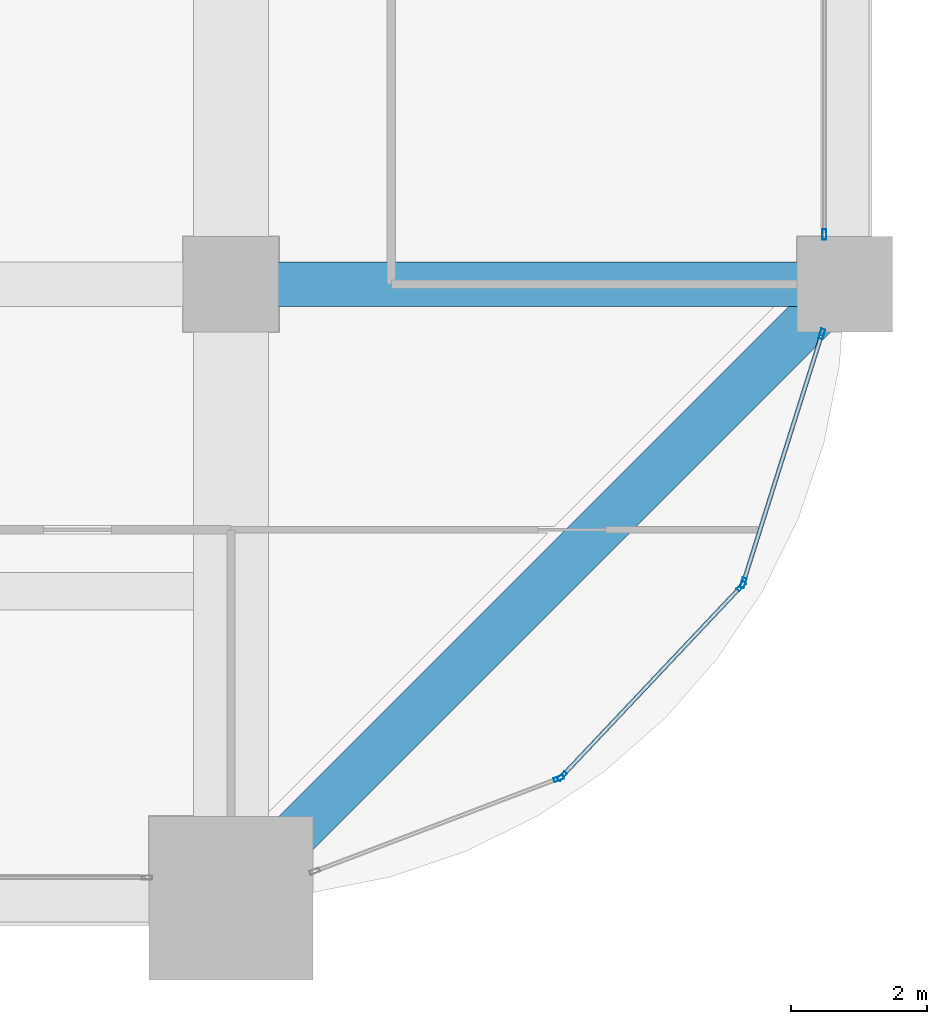
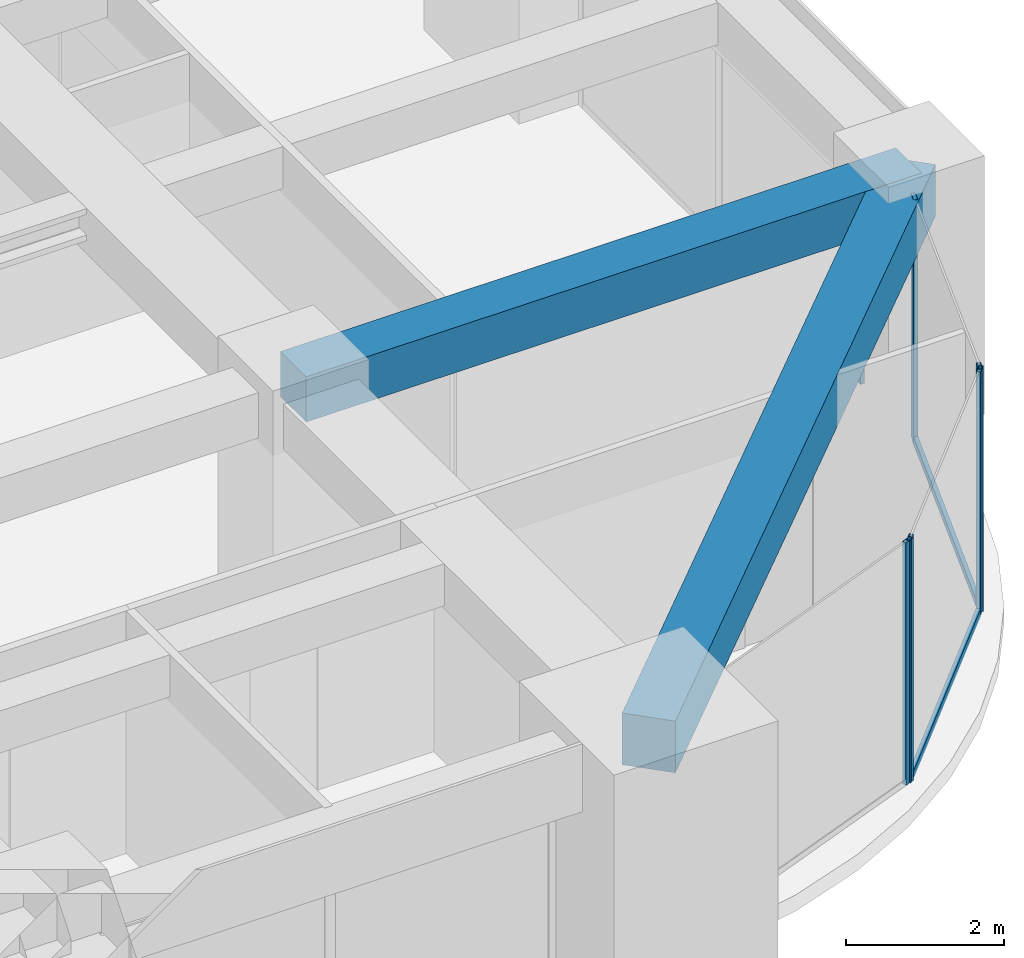
# One storey, part 16 of 33: 8 members, 2 beams, 4 elements without a shape of their own.
"""IFC4 building model written with IfcOpenShell, lengths in metres."""

from ifc_helpers import new_model, si_unit, direction, frame, origin, origin_2d, place, context, subcontext, project, spatial, rectangle, hollow_rectangle, extrude, material, material_profile, profile_set, type_object, element, aggregate, save


model = new_model("IFC4")

# Units and contexts
model_context = context("Model", 3, precision=1e-05, world=origin(), true_north=direction((0.0, 1.0)))
body_context = subcontext(model_context, "Body", "Model", "MODEL_VIEW")
ifc_project = project(units=[si_unit("LENGTHUNIT", "METRE"), si_unit("AREAUNIT", "SQUARE_METRE"), si_unit("VOLUMEUNIT", "CUBIC_METRE"), si_unit("PLANEANGLEUNIT", "RADIAN"), si_unit("MASSUNIT", "GRAM", prefix="KILO")], contexts=[model_context])

# Site, building, storey
site_placement = place(None, origin())
site = spatial("IfcSite", under=ifc_project, at=site_placement, CompositionType="ELEMENT")
building_placement = place(site_placement, origin())
building = spatial("IfcBuilding", under=site, at=building_placement, Name="Zorevar Civic Tower", CompositionType="ELEMENT")
storey_placement = place(building_placement, frame((0.0, 0.0, 206.199951171875)))
storey = spatial("IfcBuildingStorey", under=building, at=storey_placement, Name="L50", CompositionType="ELEMENT", Elevation=206.199951171875)

# Beam
ifc_material_1 = material(Name="Concrete C50/60", Category="concrete")
ifc_material_profile_1 = material_profile(ifc_material_1, rectangle(XDim=0.64990234375, YDim=0.699951171875, at=origin_2d()), Name="RC 650x700")
ifc_profile_set_1 = profile_set([ifc_material_profile_1], Name="Concrete C50/60")
beam_type_1 = type_object("IfcBeamType", Name="Beam RC 650x700", PredefinedType="BEAM", material=ifc_profile_set_1)
beam_1_placement = place(storey_placement, frame((45.0, 9.0, 3.400146484375), z_axis=(1.0, 0.0, 0.0), x_axis=(0.0, 1.0, 0.0)))
element("IfcBeam", 1, at=beam_1_placement, inside=storey, type_object=beam_type_1, Name="Girder L51", PredefinedType="BEAM", context=body_context, shape_type="SweptSolid", body=[
    extrude(rectangle(XDim=0.64990234375, YDim=0.699951171875, at=origin_2d()), origin(), (0.0, 0.0, 1.0), 9.0),
])

# Curtain wall, member
ifc_material_2 = material(Name="Dark grey solar-control glass in black aluminium frame", Category="aluminium")
curtain_wall_type = type_object("IfcCurtainWallType", Name="Curtain wall CW4 high zone", PredefinedType="NOTDEFINED", material=ifc_material_2)
curtain_wall_1_placement = place(storey_placement, origin())
curtain_wall_1 = element("IfcCurtainWall", 2, at=curtain_wall_1_placement, inside=storey, type_object=curtain_wall_type, Name="CW4 L50", PredefinedType="NOTDEFINED")
ifc_material_3 = material(Name="Aluminium, black anodised", Category="aluminium")
ifc_material_profile_2 = material_profile(ifc_material_3, hollow_rectangle(XDim=0.06005859375, YDim=0.14990234375, WallThickness=0.00390625, at=origin_2d()), Name="AL 150x60x4")
ifc_profile_set_2 = profile_set([ifc_material_profile_2], Name="Aluminium, black anodised")
member_type_1 = type_object("IfcMemberType", Name="CW4 mullion AL 150x60x4", PredefinedType="MULLION", material=ifc_profile_set_2)
member_1_placement = place(storey_placement, frame((53.699951171875, 9.72998046875, 0.0), z_axis=(0.0, 0.0, 1.0), x_axis=(-1.0, 0.0, 0.0)))
member_1 = element("IfcMember", 3, at=member_1_placement, type_object=member_type_1, Name="CW4 mullion 1", PredefinedType="MULLION", context=body_context, shape_type="SweptSolid", body=[
    extrude(hollow_rectangle(XDim=0.06005859375, YDim=0.14990234375, WallThickness=0.00390625, at=origin_2d()), origin(), (0.0, 0.0, 1.0), 2.949951171875),
])
aggregate(curtain_wall_1, [member_1])

curtain_wall_2_placement = place(storey_placement, origin())
curtain_wall_2 = element("IfcCurtainWall", 4, at=curtain_wall_2_placement, inside=storey, type_object=curtain_wall_type, Name="CW4 L50", PredefinedType="NOTDEFINED")
member_2_placement = place(storey_placement, frame((49.804931640625, 1.75537109375, 0.0), z_axis=(0.0, 0.0, 1.0), x_axis=(-0.355730895803, 0.93458842801, 0.0)))
member_2 = element("IfcMember", 5, at=member_2_placement, type_object=member_type_1, Name="CW4 mullion 2", PredefinedType="MULLION", context=body_context, shape_type="SweptSolid", body=[
    extrude(hollow_rectangle(XDim=0.06005859375, YDim=0.14990234375, WallThickness=0.00390625, at=origin_2d()), origin(), (0.0, 0.0, 1.0), 3.75),
])
aggregate(curtain_wall_2, [member_2])

# Curtain wall, members
curtain_wall_3_placement = place(storey_placement, origin())
curtain_wall_3 = element("IfcCurtainWall", 6, at=curtain_wall_3_placement, inside=storey, type_object=curtain_wall_type, Name="CW4 L50", PredefinedType="NOTDEFINED")
member_3_placement = place(storey_placement, frame((49.853759765625, 1.787841796875, 0.0), z_axis=(0.0, 0.0, 1.0), x_axis=(-0.727245053898, 0.686377907265, 0.0)))
member_3 = element("IfcMember", 7, at=member_3_placement, type_object=member_type_1, Name="CW4 mullion 1", PredefinedType="MULLION", context=body_context, shape_type="SweptSolid", body=[
    extrude(hollow_rectangle(XDim=0.06005859375, YDim=0.14990234375, WallThickness=0.00390625, at=origin_2d()), origin(), (0.0, 0.0, 1.0), 3.75),
])
member_4_placement = place(storey_placement, frame((52.480712890625, 4.5712890625, 0.0), z_axis=(0.0, 0.0, 1.0), x_axis=(-0.727245053898, 0.686377907265, 0.0)))
member_4 = element("IfcMember", 8, at=member_4_placement, type_object=member_type_1, Name="CW4 mullion 2", PredefinedType="MULLION", context=body_context, shape_type="SweptSolid", body=[
    extrude(hollow_rectangle(XDim=0.06005859375, YDim=0.14990234375, WallThickness=0.00390625, at=origin_2d()), origin(), (0.0, 0.0, 1.0), 3.75),
])

curtain_wall_4_placement = place(storey_placement, origin())
curtain_wall_4 = element("IfcCurtainWall", 9, at=curtain_wall_4_placement, inside=storey, type_object=curtain_wall_type, Name="CW4 L50", PredefinedType="NOTDEFINED")
member_5_placement = place(storey_placement, frame((52.51025390625, 4.62158203125, 0.0), z_axis=(0.0, 0.0, 1.0), x_axis=(-0.953589950678, 0.301108296077, 0.0)))
member_5 = element("IfcMember", 10, at=member_5_placement, type_object=member_type_1, Name="CW4 mullion 1", PredefinedType="MULLION", context=body_context, shape_type="SweptSolid", body=[
    extrude(hollow_rectangle(XDim=0.06005859375, YDim=0.14990234375, WallThickness=0.00390625, at=origin_2d()), origin(), (0.0, 0.0, 1.0), 3.75),
])
member_6_placement = place(storey_placement, frame((53.66259765625, 8.271484375, 0.0), z_axis=(0.0, 0.0, 1.0), x_axis=(-0.953589950678, 0.301108296077, 0.0)))
member_6 = element("IfcMember", 11, at=member_6_placement, type_object=member_type_1, Name="CW4 mullion 2", PredefinedType="MULLION", context=body_context, shape_type="SweptSolid", body=[
    extrude(hollow_rectangle(XDim=0.06005859375, YDim=0.14990234375, WallThickness=0.00390625, at=origin_2d()), origin(), (0.0, 0.0, 1.0), 3.75),
])

# Member
ifc_material_4 = material(Name="Aluminium, black anodised", Category="aluminium")
ifc_material_profile_3 = material_profile(ifc_material_4, hollow_rectangle(XDim=0.06005859375, YDim=0.1201171875, WallThickness=0.0029296875, at=origin_2d()), Name="AL 120x60x3")
ifc_profile_set_3 = profile_set([ifc_material_profile_3], Name="Aluminium, black anodised")
member_type_2 = type_object("IfcMemberType", Name="CW4 transom AL 120x60x3", PredefinedType="USERDEFINED", material=ifc_profile_set_3)
member_7_placement = place(storey_placement, frame((49.874267578125, 1.8095703125, 0.030029296875), z_axis=(0.686332338526, 0.727288059227, 0.0), x_axis=(-0.727288059227, 0.686332338526, 0.0)))
member_7 = element("IfcMember", 12, at=member_7_placement, type_object=member_type_2, Name="CW4 sill transom", ObjectType="TRANSOM", PredefinedType="USERDEFINED", context=body_context, shape_type="SweptSolid", body=[
    extrude(hollow_rectangle(XDim=0.06005859375, YDim=0.1201171875, WallThickness=0.0029296875, at=origin_2d()), origin(), (0.0, 0.0, 1.0), 3.767333984375),
])

aggregate(curtain_wall_3, [member_3, member_4, member_7])

member_8_placement = place(storey_placement, frame((52.519287109375, 4.650390625, 0.030029296875), z_axis=(0.301100351109, 0.953592459367, 0.0), x_axis=(-0.953592459367, 0.301100351109, 0.0)))
member_8 = element("IfcMember", 13, at=member_8_placement, type_object=member_type_2, Name="CW4 sill transom", ObjectType="TRANSOM", PredefinedType="USERDEFINED", context=body_context, shape_type="SweptSolid", body=[
    extrude(hollow_rectangle(XDim=0.06005859375, YDim=0.1201171875, WallThickness=0.0029296875, at=origin_2d()), origin(), (0.0, 0.0, 1.0), 3.76708984375),
])

aggregate(curtain_wall_4, [member_5, member_6, member_8])

# Beam
ifc_material_5 = material(Name="Concrete C50/60", Category="concrete")
ifc_material_profile_4 = material_profile(ifc_material_5, rectangle(XDim=0.699951171875, YDim=0.800048828125, at=origin_2d()), Name="RC 700x800")
ifc_profile_set_4 = profile_set([ifc_material_profile_4], Name="Concrete C50/60")
beam_type_2 = type_object("IfcBeamType", Name="Edge beam RC 700x800", PredefinedType="SPANDREL", material=ifc_profile_set_4)
beam_2_placement = place(storey_placement, frame((45.0, 0.0, 3.35009765625), z_axis=(0.707106781187, 0.707106781187, 0.0), x_axis=(-0.707106781187, 0.707106781187, 0.0)))
element("IfcBeam", 14, at=beam_2_placement, inside=storey, type_object=beam_type_2, Name="Corner edge beam L51", PredefinedType="SPANDREL", context=body_context, shape_type="SweptSolid", body=[
    extrude(rectangle(XDim=0.699951171875, YDim=0.800048828125, at=origin_2d()), origin(), (0.0, 0.0, 1.0), 12.72802734375),
])

save(model, "model.ifc")
